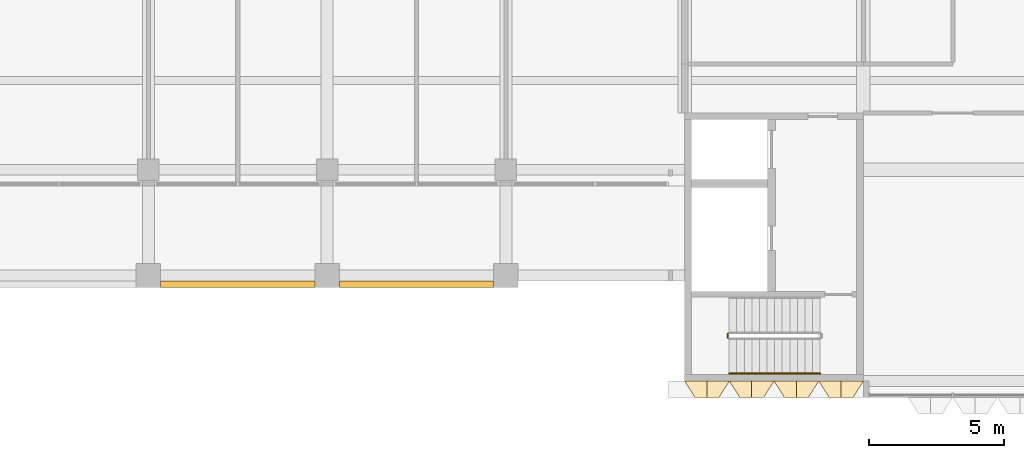
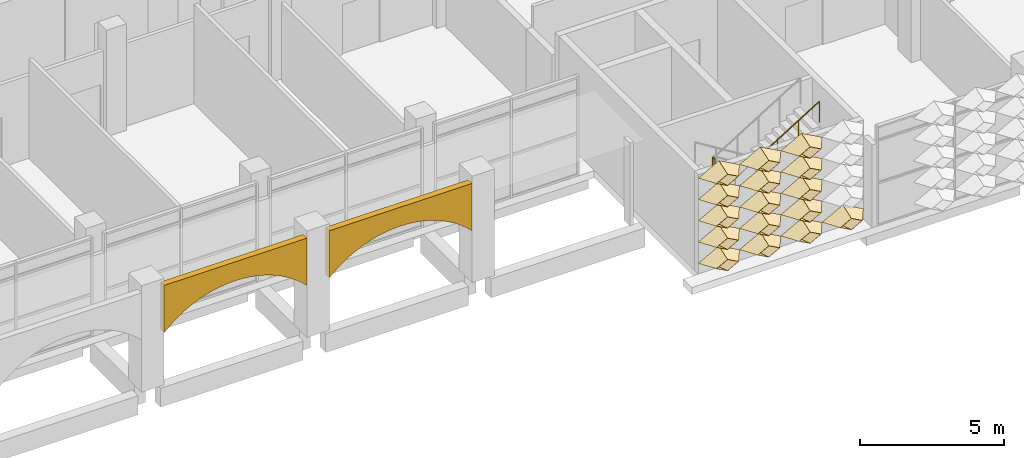
# One storey, part 45 of 87: 18 coverings, 2 railings.
"""IFC4 building model written with IfcOpenShell, lengths in metres."""

from ifc_helpers import new_model, entity, si_unit, direction, frame, origin, origin_2d, place, context, subcontext, project, spatial, polyline, circle, outline, extrude, material, layer, layer_set, type_object, element, save


model = new_model("IFC4")

# Units and contexts
model_context = context("Model", 3, precision=1e-05, world=origin(), true_north=direction((0.0, 1.0)))
body_context = subcontext(model_context, "Body", "Model", "MODEL_VIEW")
ifc_project = project(units=[si_unit("LENGTHUNIT", "METRE"), si_unit("AREAUNIT", "SQUARE_METRE"), si_unit("VOLUMEUNIT", "CUBIC_METRE"), si_unit("PLANEANGLEUNIT", "RADIAN"), si_unit("MASSUNIT", "GRAM", prefix="KILO")], contexts=[model_context])

# Site, building, storey
site_placement = place(None, origin())
site = spatial("IfcSite", under=ifc_project, at=site_placement, CompositionType="ELEMENT")
building_placement = place(site_placement, origin())
building = spatial("IfcBuilding", under=site, at=building_placement, Name="Lantern Court Research Institute", CompositionType="ELEMENT")
storey_placement = place(building_placement, frame((0.0, 0.0, 5.39990234375)))
storey = spatial("IfcBuildingStorey", under=building, at=storey_placement, Name="L01", CompositionType="ELEMENT", Elevation=5.39990234375)

# Coverings
ifc_material_1 = material(Name="Glass fibre reinforced concrete cladding", Category="concrete")
ifc_layer_1 = layer(ifc_material_1, 0.25)
ifc_layer_set_1 = layer_set([ifc_layer_1], Name="Glass fibre reinforced concrete cladding")
covering_type_1 = type_object("IfcCoveringType", Name="Arcade frieze panel 250 glass fibre reinforced concrete", PredefinedType="CLADDING", material=ifc_layer_set_1)
covering_1_placement = place(storey_placement, frame((0.0, -4.10009765625, -5.39990234375), z_axis=(0.0, -1.0, 0.0), x_axis=(1.0, 0.0, 0.0)))
element("IfcCovering", 1, at=covering_1_placement, inside=storey, type_object=covering_type_1, Name="Arcade arched frieze panel 13", PredefinedType="CLADDING", context=body_context, shape_type="SweptSolid", body=[
    extrude(outline(polyline([(33.449951171875, 9.60009765625), (33.449951171875, 7.60009765625), (33.6875, 7.823974609375), (33.925048828125, 8.014892578125), (34.16259765625, 8.17822265625), (34.39990234375, 8.31787109375), (34.637451171875, 8.4365234375), (34.875, 8.536376953125), (35.112548828125, 8.618896484375), (35.35009765625, 8.68505859375), (35.58740234375, 8.73583984375), (35.824951171875, 8.771484375), (36.0625, 8.79296875), (36.300048828125, 8.800048828125), (36.53759765625, 8.79296875), (36.77490234375, 8.771484375), (37.012451171875, 8.73583984375), (37.25, 8.68505859375), (37.487548828125, 8.618896484375), (37.72509765625, 8.536376953125), (37.96240234375, 8.4365234375), (38.199951171875, 8.31787109375), (38.4375, 8.17822265625), (38.675048828125, 8.014892578125), (38.91259765625, 7.823974609375), (39.14990234375, 7.60009765625), (39.14990234375, 9.60009765625), (33.449951171875, 9.60009765625)])), origin(), (0.0, 0.0, 1.0), 0.25),
])
covering_2_placement = place(storey_placement, frame((0.0, -4.10009765625, -5.39990234375), z_axis=(0.0, -1.0, 0.0), x_axis=(1.0, 0.0, 0.0)))
element("IfcCovering", 2, at=covering_2_placement, inside=storey, type_object=covering_type_1, Name="Arcade arched frieze panel 14", PredefinedType="CLADDING", context=body_context, shape_type="SweptSolid", body=[
    extrude(outline(polyline([(40.050048828125, 9.60009765625), (40.050048828125, 7.60009765625), (40.28759765625, 7.823974609375), (40.52490234375, 8.014892578125), (40.762451171875, 8.17822265625), (41.0, 8.31787109375), (41.237548828125, 8.4365234375), (41.47509765625, 8.536376953125), (41.71240234375, 8.618896484375), (41.949951171875, 8.68505859375), (42.1875, 8.73583984375), (42.425048828125, 8.771484375), (42.66259765625, 8.79296875), (42.89990234375, 8.800048828125), (43.137451171875, 8.79296875), (43.375, 8.771484375), (43.612548828125, 8.73583984375), (43.85009765625, 8.68505859375), (44.08740234375, 8.618896484375), (44.324951171875, 8.536376953125), (44.5625, 8.4365234375), (44.800048828125, 8.31787109375), (45.03759765625, 8.17822265625), (45.27490234375, 8.014892578125), (45.512451171875, 7.823974609375), (45.75, 7.60009765625), (45.75, 9.60009765625), (40.050048828125, 9.60009765625)])), origin(), (0.0, 0.0, 1.0), 0.25),
])
ifc_material_2 = material(Name="Anodised aluminium", Category="aluminium")
ifc_layer_2 = layer(ifc_material_2, 0.01611328125)
ifc_layer_set_2 = layer_set([ifc_layer_2], Name="Anodised aluminium")
covering_type_2 = type_object("IfcCoveringType", Name="Fin cassette 1650 x 900 x 600 aluminium", PredefinedType="CLADDING", material=ifc_layer_set_2)
covering_3_placement = place(storey_placement, frame((53.625, -7.800048828125, 0.4501953125), z_axis=(0.0, -1.0, 0.0), x_axis=(1.0, 0.0, 0.0)))
cartesian_point_1 = entity("IfcCartesianPoint", [0.824951171875, 0.0])
cartesian_point_2 = entity("IfcCartesianPoint", [0.79150390625, 0.0])
cartesian_point_3 = entity("IfcCartesianPoint", [0.44189453125, 0.0])
cartesian_point_4 = entity("IfcCartesianPoint", [0.43359375, 0.0])
element("IfcCovering", 3, at=covering_3_placement, inside=storey, type_object=covering_type_2, Name="Fin cassette V5S-L01 1.33", PredefinedType="CLADDING", context=body_context, shape_type="SweptSolid", body=[
    entity("IfcExtrudedAreaSolidTapered", entity("IfcArbitraryProfileDefWithVoids", "AREA", None, entity("IfcPolyline", [cartesian_point_1, entity("IfcCartesianPoint", [0.0, 0.449951171875]), entity("IfcCartesianPoint", [-0.824951171875, 0.0]), entity("IfcCartesianPoint", [0.0, -0.449951171875]), cartesian_point_1]), [entity("IfcPolyline", [cartesian_point_2, entity("IfcCartesianPoint", [0.0, 0.431884765625]), entity("IfcCartesianPoint", [-0.79150390625, 0.0]), entity("IfcCartesianPoint", [0.0, -0.431884765625]), cartesian_point_2])]), entity("IfcAxis2Placement3D", entity("IfcCartesianPoint", [0.0, 0.0, 0.0])), entity("IfcDirection", [0.0, 0.0, 1.0]), 0.60009765625, entity("IfcArbitraryProfileDefWithVoids", "AREA", None, entity("IfcPolyline", [cartesian_point_3, entity("IfcCartesianPoint", [0.0, 0.240966796875]), entity("IfcCartesianPoint", [-0.44189453125, 0.0]), entity("IfcCartesianPoint", [0.0, -0.240966796875]), cartesian_point_3]), [entity("IfcPolyline", [cartesian_point_4, entity("IfcCartesianPoint", [0.0, 0.236572265625]), entity("IfcCartesianPoint", [-0.43359375, 0.0]), entity("IfcCartesianPoint", [0.0, -0.236572265625]), cartesian_point_4])])),
])
covering_4_placement = place(storey_placement, frame((55.27490234375, -7.800048828125, 0.4501953125), z_axis=(0.0, -1.0, 0.0), x_axis=(1.0, 0.0, 0.0)))
cartesian_point_5 = entity("IfcCartesianPoint", [0.824951171875, 0.0])
cartesian_point_6 = entity("IfcCartesianPoint", [0.79150390625, 0.0])
cartesian_point_7 = entity("IfcCartesianPoint", [0.44189453125, 0.0])
cartesian_point_8 = entity("IfcCartesianPoint", [0.43359375, 0.0])
element("IfcCovering", 4, at=covering_4_placement, inside=storey, type_object=covering_type_2, Name="Fin cassette V5S-L01 1.34", PredefinedType="CLADDING", context=body_context, shape_type="SweptSolid", body=[
    entity("IfcExtrudedAreaSolidTapered", entity("IfcArbitraryProfileDefWithVoids", "AREA", None, entity("IfcPolyline", [cartesian_point_5, entity("IfcCartesianPoint", [0.0, 0.449951171875]), entity("IfcCartesianPoint", [-0.824951171875, 0.0]), entity("IfcCartesianPoint", [0.0, -0.449951171875]), cartesian_point_5]), [entity("IfcPolyline", [cartesian_point_6, entity("IfcCartesianPoint", [0.0, 0.431884765625]), entity("IfcCartesianPoint", [-0.79150390625, 0.0]), entity("IfcCartesianPoint", [0.0, -0.431884765625]), cartesian_point_6])]), entity("IfcAxis2Placement3D", entity("IfcCartesianPoint", [0.0, 0.0, 0.0])), entity("IfcDirection", [0.0, 0.0, 1.0]), 0.60009765625, entity("IfcArbitraryProfileDefWithVoids", "AREA", None, entity("IfcPolyline", [cartesian_point_7, entity("IfcCartesianPoint", [0.0, 0.240966796875]), entity("IfcCartesianPoint", [-0.44189453125, 0.0]), entity("IfcCartesianPoint", [0.0, -0.240966796875]), cartesian_point_7]), [entity("IfcPolyline", [cartesian_point_8, entity("IfcCartesianPoint", [0.0, 0.236572265625]), entity("IfcCartesianPoint", [-0.43359375, 0.0]), entity("IfcCartesianPoint", [0.0, -0.236572265625]), cartesian_point_8])])),
])
covering_5_placement = place(storey_placement, frame((56.925048828125, -7.800048828125, 0.4501953125), z_axis=(0.0, -1.0, 0.0), x_axis=(1.0, 0.0, 0.0)))
cartesian_point_9 = entity("IfcCartesianPoint", [0.824951171875, 0.0])
cartesian_point_10 = entity("IfcCartesianPoint", [0.79150390625, 0.0])
cartesian_point_11 = entity("IfcCartesianPoint", [0.44189453125, 0.0])
cartesian_point_12 = entity("IfcCartesianPoint", [0.43359375, 0.0])
element("IfcCovering", 5, at=covering_5_placement, inside=storey, type_object=covering_type_2, Name="Fin cassette V5S-L01 1.35", PredefinedType="CLADDING", context=body_context, shape_type="SweptSolid", body=[
    entity("IfcExtrudedAreaSolidTapered", entity("IfcArbitraryProfileDefWithVoids", "AREA", None, entity("IfcPolyline", [cartesian_point_9, entity("IfcCartesianPoint", [0.0, 0.449951171875]), entity("IfcCartesianPoint", [-0.824951171875, 0.0]), entity("IfcCartesianPoint", [0.0, -0.449951171875]), cartesian_point_9]), [entity("IfcPolyline", [cartesian_point_10, entity("IfcCartesianPoint", [0.0, 0.431884765625]), entity("IfcCartesianPoint", [-0.79150390625, 0.0]), entity("IfcCartesianPoint", [0.0, -0.431884765625]), cartesian_point_10])]), entity("IfcAxis2Placement3D", entity("IfcCartesianPoint", [0.0, 0.0, 0.0])), entity("IfcDirection", [0.0, 0.0, 1.0]), 0.60009765625, entity("IfcArbitraryProfileDefWithVoids", "AREA", None, entity("IfcPolyline", [cartesian_point_11, entity("IfcCartesianPoint", [0.0, 0.240966796875]), entity("IfcCartesianPoint", [-0.44189453125, 0.0]), entity("IfcCartesianPoint", [0.0, -0.240966796875]), cartesian_point_11]), [entity("IfcPolyline", [cartesian_point_12, entity("IfcCartesianPoint", [0.0, 0.236572265625]), entity("IfcCartesianPoint", [-0.43359375, 0.0]), entity("IfcCartesianPoint", [0.0, -0.236572265625]), cartesian_point_12])])),
])
covering_6_placement = place(storey_placement, frame((58.574951171875, -7.800048828125, 0.4501953125), z_axis=(0.0, -1.0, 0.0), x_axis=(1.0, 0.0, 0.0)))
cartesian_point_13 = entity("IfcCartesianPoint", [0.824951171875, 0.0])
cartesian_point_14 = entity("IfcCartesianPoint", [0.79150390625, 0.0])
cartesian_point_15 = entity("IfcCartesianPoint", [0.44189453125, 0.0])
cartesian_point_16 = entity("IfcCartesianPoint", [0.43359375, 0.0])
element("IfcCovering", 6, at=covering_6_placement, inside=storey, type_object=covering_type_2, Name="Fin cassette V5S-L01 1.36", PredefinedType="CLADDING", context=body_context, shape_type="SweptSolid", body=[
    entity("IfcExtrudedAreaSolidTapered", entity("IfcArbitraryProfileDefWithVoids", "AREA", None, entity("IfcPolyline", [cartesian_point_13, entity("IfcCartesianPoint", [0.0, 0.449951171875]), entity("IfcCartesianPoint", [-0.824951171875, 0.0]), entity("IfcCartesianPoint", [0.0, -0.449951171875]), cartesian_point_13]), [entity("IfcPolyline", [cartesian_point_14, entity("IfcCartesianPoint", [0.0, 0.431884765625]), entity("IfcCartesianPoint", [-0.79150390625, 0.0]), entity("IfcCartesianPoint", [0.0, -0.431884765625]), cartesian_point_14])]), entity("IfcAxis2Placement3D", entity("IfcCartesianPoint", [0.0, 0.0, 0.0])), entity("IfcDirection", [0.0, 0.0, 1.0]), 0.60009765625, entity("IfcArbitraryProfileDefWithVoids", "AREA", None, entity("IfcPolyline", [cartesian_point_15, entity("IfcCartesianPoint", [0.0, 0.240966796875]), entity("IfcCartesianPoint", [-0.44189453125, 0.0]), entity("IfcCartesianPoint", [0.0, -0.240966796875]), cartesian_point_15]), [entity("IfcPolyline", [cartesian_point_16, entity("IfcCartesianPoint", [0.0, 0.236572265625]), entity("IfcCartesianPoint", [-0.43359375, 0.0]), entity("IfcCartesianPoint", [0.0, -0.236572265625]), cartesian_point_16])])),
])
covering_7_placement = place(storey_placement, frame((53.625, -7.800048828125, 1.35009765625), z_axis=(0.0, -1.0, 0.0), x_axis=(1.0, 0.0, 0.0)))
cartesian_point_17 = entity("IfcCartesianPoint", [0.824951171875, 0.0])
cartesian_point_18 = entity("IfcCartesianPoint", [0.79150390625, 0.0])
cartesian_point_19 = entity("IfcCartesianPoint", [0.44189453125, 0.0])
cartesian_point_20 = entity("IfcCartesianPoint", [0.43359375, 0.0])
element("IfcCovering", 7, at=covering_7_placement, inside=storey, type_object=covering_type_2, Name="Fin cassette V5S-L01 2.33", PredefinedType="CLADDING", context=body_context, shape_type="SweptSolid", body=[
    entity("IfcExtrudedAreaSolidTapered", entity("IfcArbitraryProfileDefWithVoids", "AREA", None, entity("IfcPolyline", [cartesian_point_17, entity("IfcCartesianPoint", [0.0, 0.449951171875]), entity("IfcCartesianPoint", [-0.824951171875, 0.0]), entity("IfcCartesianPoint", [0.0, -0.449951171875]), cartesian_point_17]), [entity("IfcPolyline", [cartesian_point_18, entity("IfcCartesianPoint", [0.0, 0.431884765625]), entity("IfcCartesianPoint", [-0.79150390625, 0.0]), entity("IfcCartesianPoint", [0.0, -0.431884765625]), cartesian_point_18])]), entity("IfcAxis2Placement3D", entity("IfcCartesianPoint", [0.0, 0.0, 0.0])), entity("IfcDirection", [0.0, 0.0, 1.0]), 0.60009765625, entity("IfcArbitraryProfileDefWithVoids", "AREA", None, entity("IfcPolyline", [cartesian_point_19, entity("IfcCartesianPoint", [0.0, 0.240966796875]), entity("IfcCartesianPoint", [-0.44189453125, 0.0]), entity("IfcCartesianPoint", [0.0, -0.240966796875]), cartesian_point_19]), [entity("IfcPolyline", [cartesian_point_20, entity("IfcCartesianPoint", [0.0, 0.236572265625]), entity("IfcCartesianPoint", [-0.43359375, 0.0]), entity("IfcCartesianPoint", [0.0, -0.236572265625]), cartesian_point_20])])),
])
covering_8_placement = place(storey_placement, frame((55.27490234375, -7.800048828125, 1.35009765625), z_axis=(0.0, -1.0, 0.0), x_axis=(1.0, 0.0, 0.0)))
cartesian_point_21 = entity("IfcCartesianPoint", [0.824951171875, 0.0])
cartesian_point_22 = entity("IfcCartesianPoint", [0.79150390625, 0.0])
cartesian_point_23 = entity("IfcCartesianPoint", [0.44189453125, 0.0])
cartesian_point_24 = entity("IfcCartesianPoint", [0.43359375, 0.0])
element("IfcCovering", 8, at=covering_8_placement, inside=storey, type_object=covering_type_2, Name="Fin cassette V5S-L01 2.34", PredefinedType="CLADDING", context=body_context, shape_type="SweptSolid", body=[
    entity("IfcExtrudedAreaSolidTapered", entity("IfcArbitraryProfileDefWithVoids", "AREA", None, entity("IfcPolyline", [cartesian_point_21, entity("IfcCartesianPoint", [0.0, 0.449951171875]), entity("IfcCartesianPoint", [-0.824951171875, 0.0]), entity("IfcCartesianPoint", [0.0, -0.449951171875]), cartesian_point_21]), [entity("IfcPolyline", [cartesian_point_22, entity("IfcCartesianPoint", [0.0, 0.431884765625]), entity("IfcCartesianPoint", [-0.79150390625, 0.0]), entity("IfcCartesianPoint", [0.0, -0.431884765625]), cartesian_point_22])]), entity("IfcAxis2Placement3D", entity("IfcCartesianPoint", [0.0, 0.0, 0.0])), entity("IfcDirection", [0.0, 0.0, 1.0]), 0.60009765625, entity("IfcArbitraryProfileDefWithVoids", "AREA", None, entity("IfcPolyline", [cartesian_point_23, entity("IfcCartesianPoint", [0.0, 0.240966796875]), entity("IfcCartesianPoint", [-0.44189453125, 0.0]), entity("IfcCartesianPoint", [0.0, -0.240966796875]), cartesian_point_23]), [entity("IfcPolyline", [cartesian_point_24, entity("IfcCartesianPoint", [0.0, 0.236572265625]), entity("IfcCartesianPoint", [-0.43359375, 0.0]), entity("IfcCartesianPoint", [0.0, -0.236572265625]), cartesian_point_24])])),
])
covering_9_placement = place(storey_placement, frame((56.925048828125, -7.800048828125, 1.35009765625), z_axis=(0.0, -1.0, 0.0), x_axis=(1.0, 0.0, 0.0)))
cartesian_point_25 = entity("IfcCartesianPoint", [0.824951171875, 0.0])
cartesian_point_26 = entity("IfcCartesianPoint", [0.79150390625, 0.0])
cartesian_point_27 = entity("IfcCartesianPoint", [0.44189453125, 0.0])
cartesian_point_28 = entity("IfcCartesianPoint", [0.43359375, 0.0])
element("IfcCovering", 9, at=covering_9_placement, inside=storey, type_object=covering_type_2, Name="Fin cassette V5S-L01 2.35", PredefinedType="CLADDING", context=body_context, shape_type="SweptSolid", body=[
    entity("IfcExtrudedAreaSolidTapered", entity("IfcArbitraryProfileDefWithVoids", "AREA", None, entity("IfcPolyline", [cartesian_point_25, entity("IfcCartesianPoint", [0.0, 0.449951171875]), entity("IfcCartesianPoint", [-0.824951171875, 0.0]), entity("IfcCartesianPoint", [0.0, -0.449951171875]), cartesian_point_25]), [entity("IfcPolyline", [cartesian_point_26, entity("IfcCartesianPoint", [0.0, 0.431884765625]), entity("IfcCartesianPoint", [-0.79150390625, 0.0]), entity("IfcCartesianPoint", [0.0, -0.431884765625]), cartesian_point_26])]), entity("IfcAxis2Placement3D", entity("IfcCartesianPoint", [0.0, 0.0, 0.0])), entity("IfcDirection", [0.0, 0.0, 1.0]), 0.60009765625, entity("IfcArbitraryProfileDefWithVoids", "AREA", None, entity("IfcPolyline", [cartesian_point_27, entity("IfcCartesianPoint", [0.0, 0.240966796875]), entity("IfcCartesianPoint", [-0.44189453125, 0.0]), entity("IfcCartesianPoint", [0.0, -0.240966796875]), cartesian_point_27]), [entity("IfcPolyline", [cartesian_point_28, entity("IfcCartesianPoint", [0.0, 0.236572265625]), entity("IfcCartesianPoint", [-0.43359375, 0.0]), entity("IfcCartesianPoint", [0.0, -0.236572265625]), cartesian_point_28])])),
])
covering_10_placement = place(storey_placement, frame((53.625, -7.800048828125, 2.25), z_axis=(0.0, -1.0, 0.0), x_axis=(1.0, 0.0, 0.0)))
cartesian_point_29 = entity("IfcCartesianPoint", [0.824951171875, 0.0])
cartesian_point_30 = entity("IfcCartesianPoint", [0.79150390625, 0.0])
cartesian_point_31 = entity("IfcCartesianPoint", [0.44189453125, 0.0])
cartesian_point_32 = entity("IfcCartesianPoint", [0.43359375, 0.0])
element("IfcCovering", 10, at=covering_10_placement, inside=storey, type_object=covering_type_2, Name="Fin cassette V5S-L01 3.33", PredefinedType="CLADDING", context=body_context, shape_type="SweptSolid", body=[
    entity("IfcExtrudedAreaSolidTapered", entity("IfcArbitraryProfileDefWithVoids", "AREA", None, entity("IfcPolyline", [cartesian_point_29, entity("IfcCartesianPoint", [0.0, 0.449951171875]), entity("IfcCartesianPoint", [-0.824951171875, 0.0]), entity("IfcCartesianPoint", [0.0, -0.449951171875]), cartesian_point_29]), [entity("IfcPolyline", [cartesian_point_30, entity("IfcCartesianPoint", [0.0, 0.431884765625]), entity("IfcCartesianPoint", [-0.79150390625, 0.0]), entity("IfcCartesianPoint", [0.0, -0.431884765625]), cartesian_point_30])]), entity("IfcAxis2Placement3D", entity("IfcCartesianPoint", [0.0, 0.0, 0.0])), entity("IfcDirection", [0.0, 0.0, 1.0]), 0.60009765625, entity("IfcArbitraryProfileDefWithVoids", "AREA", None, entity("IfcPolyline", [cartesian_point_31, entity("IfcCartesianPoint", [0.0, 0.240966796875]), entity("IfcCartesianPoint", [-0.44189453125, 0.0]), entity("IfcCartesianPoint", [0.0, -0.240966796875]), cartesian_point_31]), [entity("IfcPolyline", [cartesian_point_32, entity("IfcCartesianPoint", [0.0, 0.236572265625]), entity("IfcCartesianPoint", [-0.43359375, 0.0]), entity("IfcCartesianPoint", [0.0, -0.236572265625]), cartesian_point_32])])),
])
covering_11_placement = place(storey_placement, frame((55.27490234375, -7.800048828125, 2.25), z_axis=(0.0, -1.0, 0.0), x_axis=(1.0, 0.0, 0.0)))
cartesian_point_33 = entity("IfcCartesianPoint", [0.824951171875, 0.0])
cartesian_point_34 = entity("IfcCartesianPoint", [0.79150390625, 0.0])
cartesian_point_35 = entity("IfcCartesianPoint", [0.44189453125, 0.0])
cartesian_point_36 = entity("IfcCartesianPoint", [0.43359375, 0.0])
element("IfcCovering", 11, at=covering_11_placement, inside=storey, type_object=covering_type_2, Name="Fin cassette V5S-L01 3.34", PredefinedType="CLADDING", context=body_context, shape_type="SweptSolid", body=[
    entity("IfcExtrudedAreaSolidTapered", entity("IfcArbitraryProfileDefWithVoids", "AREA", None, entity("IfcPolyline", [cartesian_point_33, entity("IfcCartesianPoint", [0.0, 0.449951171875]), entity("IfcCartesianPoint", [-0.824951171875, 0.0]), entity("IfcCartesianPoint", [0.0, -0.449951171875]), cartesian_point_33]), [entity("IfcPolyline", [cartesian_point_34, entity("IfcCartesianPoint", [0.0, 0.431884765625]), entity("IfcCartesianPoint", [-0.79150390625, 0.0]), entity("IfcCartesianPoint", [0.0, -0.431884765625]), cartesian_point_34])]), entity("IfcAxis2Placement3D", entity("IfcCartesianPoint", [0.0, 0.0, 0.0])), entity("IfcDirection", [0.0, 0.0, 1.0]), 0.60009765625, entity("IfcArbitraryProfileDefWithVoids", "AREA", None, entity("IfcPolyline", [cartesian_point_35, entity("IfcCartesianPoint", [0.0, 0.240966796875]), entity("IfcCartesianPoint", [-0.44189453125, 0.0]), entity("IfcCartesianPoint", [0.0, -0.240966796875]), cartesian_point_35]), [entity("IfcPolyline", [cartesian_point_36, entity("IfcCartesianPoint", [0.0, 0.236572265625]), entity("IfcCartesianPoint", [-0.43359375, 0.0]), entity("IfcCartesianPoint", [0.0, -0.236572265625]), cartesian_point_36])])),
])
covering_12_placement = place(storey_placement, frame((56.925048828125, -7.800048828125, 2.25), z_axis=(0.0, -1.0, 0.0), x_axis=(1.0, 0.0, 0.0)))
cartesian_point_37 = entity("IfcCartesianPoint", [0.824951171875, 0.0])
cartesian_point_38 = entity("IfcCartesianPoint", [0.79150390625, 0.0])
cartesian_point_39 = entity("IfcCartesianPoint", [0.44189453125, 0.0])
cartesian_point_40 = entity("IfcCartesianPoint", [0.43359375, 0.0])
element("IfcCovering", 12, at=covering_12_placement, inside=storey, type_object=covering_type_2, Name="Fin cassette V5S-L01 3.35", PredefinedType="CLADDING", context=body_context, shape_type="SweptSolid", body=[
    entity("IfcExtrudedAreaSolidTapered", entity("IfcArbitraryProfileDefWithVoids", "AREA", None, entity("IfcPolyline", [cartesian_point_37, entity("IfcCartesianPoint", [0.0, 0.449951171875]), entity("IfcCartesianPoint", [-0.824951171875, 0.0]), entity("IfcCartesianPoint", [0.0, -0.449951171875]), cartesian_point_37]), [entity("IfcPolyline", [cartesian_point_38, entity("IfcCartesianPoint", [0.0, 0.431884765625]), entity("IfcCartesianPoint", [-0.79150390625, 0.0]), entity("IfcCartesianPoint", [0.0, -0.431884765625]), cartesian_point_38])]), entity("IfcAxis2Placement3D", entity("IfcCartesianPoint", [0.0, 0.0, 0.0])), entity("IfcDirection", [0.0, 0.0, 1.0]), 0.60009765625, entity("IfcArbitraryProfileDefWithVoids", "AREA", None, entity("IfcPolyline", [cartesian_point_39, entity("IfcCartesianPoint", [0.0, 0.240966796875]), entity("IfcCartesianPoint", [-0.44189453125, 0.0]), entity("IfcCartesianPoint", [0.0, -0.240966796875]), cartesian_point_39]), [entity("IfcPolyline", [cartesian_point_40, entity("IfcCartesianPoint", [0.0, 0.236572265625]), entity("IfcCartesianPoint", [-0.43359375, 0.0]), entity("IfcCartesianPoint", [0.0, -0.236572265625]), cartesian_point_40])])),
])
covering_13_placement = place(storey_placement, frame((53.625, -7.800048828125, 3.150146484375), z_axis=(0.0, -1.0, 0.0), x_axis=(1.0, 0.0, 0.0)))
cartesian_point_41 = entity("IfcCartesianPoint", [0.824951171875, 0.0])
cartesian_point_42 = entity("IfcCartesianPoint", [0.79150390625, 0.0])
cartesian_point_43 = entity("IfcCartesianPoint", [0.44189453125, 0.0])
cartesian_point_44 = entity("IfcCartesianPoint", [0.43359375, 0.0])
element("IfcCovering", 13, at=covering_13_placement, inside=storey, type_object=covering_type_2, Name="Fin cassette V5S-L01 4.33", PredefinedType="CLADDING", context=body_context, shape_type="SweptSolid", body=[
    entity("IfcExtrudedAreaSolidTapered", entity("IfcArbitraryProfileDefWithVoids", "AREA", None, entity("IfcPolyline", [cartesian_point_41, entity("IfcCartesianPoint", [0.0, 0.449951171875]), entity("IfcCartesianPoint", [-0.824951171875, 0.0]), entity("IfcCartesianPoint", [0.0, -0.449951171875]), cartesian_point_41]), [entity("IfcPolyline", [cartesian_point_42, entity("IfcCartesianPoint", [0.0, 0.431884765625]), entity("IfcCartesianPoint", [-0.79150390625, 0.0]), entity("IfcCartesianPoint", [0.0, -0.431884765625]), cartesian_point_42])]), entity("IfcAxis2Placement3D", entity("IfcCartesianPoint", [0.0, 0.0, 0.0])), entity("IfcDirection", [0.0, 0.0, 1.0]), 0.60009765625, entity("IfcArbitraryProfileDefWithVoids", "AREA", None, entity("IfcPolyline", [cartesian_point_43, entity("IfcCartesianPoint", [0.0, 0.240966796875]), entity("IfcCartesianPoint", [-0.44189453125, 0.0]), entity("IfcCartesianPoint", [0.0, -0.240966796875]), cartesian_point_43]), [entity("IfcPolyline", [cartesian_point_44, entity("IfcCartesianPoint", [0.0, 0.236572265625]), entity("IfcCartesianPoint", [-0.43359375, 0.0]), entity("IfcCartesianPoint", [0.0, -0.236572265625]), cartesian_point_44])])),
])
covering_14_placement = place(storey_placement, frame((55.27490234375, -7.800048828125, 3.150146484375), z_axis=(0.0, -1.0, 0.0), x_axis=(1.0, 0.0, 0.0)))
cartesian_point_45 = entity("IfcCartesianPoint", [0.824951171875, 0.0])
cartesian_point_46 = entity("IfcCartesianPoint", [0.79150390625, 0.0])
cartesian_point_47 = entity("IfcCartesianPoint", [0.44189453125, 0.0])
cartesian_point_48 = entity("IfcCartesianPoint", [0.43359375, 0.0])
element("IfcCovering", 14, at=covering_14_placement, inside=storey, type_object=covering_type_2, Name="Fin cassette V5S-L01 4.34", PredefinedType="CLADDING", context=body_context, shape_type="SweptSolid", body=[
    entity("IfcExtrudedAreaSolidTapered", entity("IfcArbitraryProfileDefWithVoids", "AREA", None, entity("IfcPolyline", [cartesian_point_45, entity("IfcCartesianPoint", [0.0, 0.449951171875]), entity("IfcCartesianPoint", [-0.824951171875, 0.0]), entity("IfcCartesianPoint", [0.0, -0.449951171875]), cartesian_point_45]), [entity("IfcPolyline", [cartesian_point_46, entity("IfcCartesianPoint", [0.0, 0.431884765625]), entity("IfcCartesianPoint", [-0.79150390625, 0.0]), entity("IfcCartesianPoint", [0.0, -0.431884765625]), cartesian_point_46])]), entity("IfcAxis2Placement3D", entity("IfcCartesianPoint", [0.0, 0.0, 0.0])), entity("IfcDirection", [0.0, 0.0, 1.0]), 0.60009765625, entity("IfcArbitraryProfileDefWithVoids", "AREA", None, entity("IfcPolyline", [cartesian_point_47, entity("IfcCartesianPoint", [0.0, 0.240966796875]), entity("IfcCartesianPoint", [-0.44189453125, 0.0]), entity("IfcCartesianPoint", [0.0, -0.240966796875]), cartesian_point_47]), [entity("IfcPolyline", [cartesian_point_48, entity("IfcCartesianPoint", [0.0, 0.236572265625]), entity("IfcCartesianPoint", [-0.43359375, 0.0]), entity("IfcCartesianPoint", [0.0, -0.236572265625]), cartesian_point_48])])),
])
covering_15_placement = place(storey_placement, frame((56.925048828125, -7.800048828125, 3.150146484375), z_axis=(0.0, -1.0, 0.0), x_axis=(1.0, 0.0, 0.0)))
cartesian_point_49 = entity("IfcCartesianPoint", [0.824951171875, 0.0])
cartesian_point_50 = entity("IfcCartesianPoint", [0.79150390625, 0.0])
cartesian_point_51 = entity("IfcCartesianPoint", [0.44189453125, 0.0])
cartesian_point_52 = entity("IfcCartesianPoint", [0.43359375, 0.0])
element("IfcCovering", 15, at=covering_15_placement, inside=storey, type_object=covering_type_2, Name="Fin cassette V5S-L01 4.35", PredefinedType="CLADDING", context=body_context, shape_type="SweptSolid", body=[
    entity("IfcExtrudedAreaSolidTapered", entity("IfcArbitraryProfileDefWithVoids", "AREA", None, entity("IfcPolyline", [cartesian_point_49, entity("IfcCartesianPoint", [0.0, 0.449951171875]), entity("IfcCartesianPoint", [-0.824951171875, 0.0]), entity("IfcCartesianPoint", [0.0, -0.449951171875]), cartesian_point_49]), [entity("IfcPolyline", [cartesian_point_50, entity("IfcCartesianPoint", [0.0, 0.431884765625]), entity("IfcCartesianPoint", [-0.79150390625, 0.0]), entity("IfcCartesianPoint", [0.0, -0.431884765625]), cartesian_point_50])]), entity("IfcAxis2Placement3D", entity("IfcCartesianPoint", [0.0, 0.0, 0.0])), entity("IfcDirection", [0.0, 0.0, 1.0]), 0.60009765625, entity("IfcArbitraryProfileDefWithVoids", "AREA", None, entity("IfcPolyline", [cartesian_point_51, entity("IfcCartesianPoint", [0.0, 0.240966796875]), entity("IfcCartesianPoint", [-0.44189453125, 0.0]), entity("IfcCartesianPoint", [0.0, -0.240966796875]), cartesian_point_51]), [entity("IfcPolyline", [cartesian_point_52, entity("IfcCartesianPoint", [0.0, 0.236572265625]), entity("IfcCartesianPoint", [-0.43359375, 0.0]), entity("IfcCartesianPoint", [0.0, -0.236572265625]), cartesian_point_52])])),
])
covering_16_placement = place(storey_placement, frame((53.625, -7.800048828125, 4.050048828125), z_axis=(0.0, -1.0, 0.0), x_axis=(1.0, 0.0, 0.0)))
cartesian_point_53 = entity("IfcCartesianPoint", [0.824951171875, 0.0])
cartesian_point_54 = entity("IfcCartesianPoint", [0.79150390625, 0.0])
cartesian_point_55 = entity("IfcCartesianPoint", [0.44189453125, 0.0])
cartesian_point_56 = entity("IfcCartesianPoint", [0.43359375, 0.0])
element("IfcCovering", 16, at=covering_16_placement, inside=storey, type_object=covering_type_2, Name="Fin cassette V5S-L01 5.33", PredefinedType="CLADDING", context=body_context, shape_type="SweptSolid", body=[
    entity("IfcExtrudedAreaSolidTapered", entity("IfcArbitraryProfileDefWithVoids", "AREA", None, entity("IfcPolyline", [cartesian_point_53, entity("IfcCartesianPoint", [0.0, 0.449951171875]), entity("IfcCartesianPoint", [-0.824951171875, 0.0]), entity("IfcCartesianPoint", [0.0, -0.449951171875]), cartesian_point_53]), [entity("IfcPolyline", [cartesian_point_54, entity("IfcCartesianPoint", [0.0, 0.431884765625]), entity("IfcCartesianPoint", [-0.79150390625, 0.0]), entity("IfcCartesianPoint", [0.0, -0.431884765625]), cartesian_point_54])]), entity("IfcAxis2Placement3D", entity("IfcCartesianPoint", [0.0, 0.0, 0.0])), entity("IfcDirection", [0.0, 0.0, 1.0]), 0.60009765625, entity("IfcArbitraryProfileDefWithVoids", "AREA", None, entity("IfcPolyline", [cartesian_point_55, entity("IfcCartesianPoint", [0.0, 0.240966796875]), entity("IfcCartesianPoint", [-0.44189453125, 0.0]), entity("IfcCartesianPoint", [0.0, -0.240966796875]), cartesian_point_55]), [entity("IfcPolyline", [cartesian_point_56, entity("IfcCartesianPoint", [0.0, 0.236572265625]), entity("IfcCartesianPoint", [-0.43359375, 0.0]), entity("IfcCartesianPoint", [0.0, -0.236572265625]), cartesian_point_56])])),
])
covering_17_placement = place(storey_placement, frame((55.27490234375, -7.800048828125, 4.050048828125), z_axis=(0.0, -1.0, 0.0), x_axis=(1.0, 0.0, 0.0)))
cartesian_point_57 = entity("IfcCartesianPoint", [0.824951171875, 0.0])
cartesian_point_58 = entity("IfcCartesianPoint", [0.79150390625, 0.0])
cartesian_point_59 = entity("IfcCartesianPoint", [0.44189453125, 0.0])
cartesian_point_60 = entity("IfcCartesianPoint", [0.43359375, 0.0])
element("IfcCovering", 17, at=covering_17_placement, inside=storey, type_object=covering_type_2, Name="Fin cassette V5S-L01 5.34", PredefinedType="CLADDING", context=body_context, shape_type="SweptSolid", body=[
    entity("IfcExtrudedAreaSolidTapered", entity("IfcArbitraryProfileDefWithVoids", "AREA", None, entity("IfcPolyline", [cartesian_point_57, entity("IfcCartesianPoint", [0.0, 0.449951171875]), entity("IfcCartesianPoint", [-0.824951171875, 0.0]), entity("IfcCartesianPoint", [0.0, -0.449951171875]), cartesian_point_57]), [entity("IfcPolyline", [cartesian_point_58, entity("IfcCartesianPoint", [0.0, 0.431884765625]), entity("IfcCartesianPoint", [-0.79150390625, 0.0]), entity("IfcCartesianPoint", [0.0, -0.431884765625]), cartesian_point_58])]), entity("IfcAxis2Placement3D", entity("IfcCartesianPoint", [0.0, 0.0, 0.0])), entity("IfcDirection", [0.0, 0.0, 1.0]), 0.60009765625, entity("IfcArbitraryProfileDefWithVoids", "AREA", None, entity("IfcPolyline", [cartesian_point_59, entity("IfcCartesianPoint", [0.0, 0.240966796875]), entity("IfcCartesianPoint", [-0.44189453125, 0.0]), entity("IfcCartesianPoint", [0.0, -0.240966796875]), cartesian_point_59]), [entity("IfcPolyline", [cartesian_point_60, entity("IfcCartesianPoint", [0.0, 0.236572265625]), entity("IfcCartesianPoint", [-0.43359375, 0.0]), entity("IfcCartesianPoint", [0.0, -0.236572265625]), cartesian_point_60])])),
])
covering_18_placement = place(storey_placement, frame((56.925048828125, -7.800048828125, 4.050048828125), z_axis=(0.0, -1.0, 0.0), x_axis=(1.0, 0.0, 0.0)))
cartesian_point_61 = entity("IfcCartesianPoint", [0.824951171875, 0.0])
cartesian_point_62 = entity("IfcCartesianPoint", [0.79150390625, 0.0])
cartesian_point_63 = entity("IfcCartesianPoint", [0.44189453125, 0.0])
cartesian_point_64 = entity("IfcCartesianPoint", [0.43359375, 0.0])
element("IfcCovering", 18, at=covering_18_placement, inside=storey, type_object=covering_type_2, Name="Fin cassette V5S-L01 5.35", PredefinedType="CLADDING", context=body_context, shape_type="SweptSolid", body=[
    entity("IfcExtrudedAreaSolidTapered", entity("IfcArbitraryProfileDefWithVoids", "AREA", None, entity("IfcPolyline", [cartesian_point_61, entity("IfcCartesianPoint", [0.0, 0.449951171875]), entity("IfcCartesianPoint", [-0.824951171875, 0.0]), entity("IfcCartesianPoint", [0.0, -0.449951171875]), cartesian_point_61]), [entity("IfcPolyline", [cartesian_point_62, entity("IfcCartesianPoint", [0.0, 0.431884765625]), entity("IfcCartesianPoint", [-0.79150390625, 0.0]), entity("IfcCartesianPoint", [0.0, -0.431884765625]), cartesian_point_62])]), entity("IfcAxis2Placement3D", entity("IfcCartesianPoint", [0.0, 0.0, 0.0])), entity("IfcDirection", [0.0, 0.0, 1.0]), 0.60009765625, entity("IfcArbitraryProfileDefWithVoids", "AREA", None, entity("IfcPolyline", [cartesian_point_63, entity("IfcCartesianPoint", [0.0, 0.240966796875]), entity("IfcCartesianPoint", [-0.44189453125, 0.0]), entity("IfcCartesianPoint", [0.0, -0.240966796875]), cartesian_point_63]), [entity("IfcPolyline", [cartesian_point_64, entity("IfcCartesianPoint", [0.0, 0.236572265625]), entity("IfcCartesianPoint", [-0.43359375, 0.0]), entity("IfcCartesianPoint", [0.0, -0.236572265625]), cartesian_point_64])])),
])

# Railings
ifc_material_3 = material(Name="Structural steel S355", Category="steel")
railing_type_1 = type_object("IfcRailingType", Name="Stair guard 1100 steel", PredefinedType="GUARDRAIL", material=ifc_material_3)
railing_1_placement = place(storey_placement, frame((54.389892578125, -6.050048828125, 2.25)))
element("IfcRailing", 19, at=railing_1_placement, inside=storey, type_object=railing_type_1, Name="L01 ST-T1 stair guard 2", PredefinedType="GUARDRAIL", context=body_context, shape_type="SweptSolid", body=[
    extrude(circle(Radius=0.02392578125, at=origin_2d()), frame((0.0, 0.0, 1.076171875), z_axis=(0.0, -1.0, 0.0), x_axis=(1.0, 0.0, 0.0)), (0.0, 0.0, 1.0), 0.14990234375),
    extrude(circle(Radius=0.02099609375, at=origin_2d()), origin(), (0.0, 0.0, 1.0), 1.052001953125),
    extrude(circle(Radius=0.02099609375, at=origin_2d()), frame((0.0, -0.14990234375, 0.0)), (0.0, 0.0, 1.0), 1.052001953125),
])
ifc_material_4 = material(Name="Stainless steel 316", Category="steel")
railing_type_2 = type_object("IfcRailingType", Name="Stair handrail 900 steel", PredefinedType="HANDRAIL", material=ifc_material_4)
railing_2_placement = place(storey_placement, frame((54.43994140625, -7.52490234375, 2.423095703125)))
element("IfcRailing", 20, at=railing_2_placement, inside=storey, type_object=railing_type_2, Name="L01 ST-T1 stair handrail 2", PredefinedType="HANDRAIL", context=body_context, shape_type="SweptSolid", body=[
    extrude(circle(Radius=0.02392578125, at=origin_2d()), frame((0.0, 0.0, 0.8759765625), z_axis=(0.850623216509, 0.0, 0.525775754039), x_axis=(0.0, 1.0, 0.0)), (0.0, 0.0, 1.0), 3.9501953125),
    extrude(circle(Radius=0.02099609375, at=origin_2d()), origin(), (0.0, 0.0, 1.0), 0.851806640625),
    extrude(circle(Radius=0.02099609375, at=origin_2d()), frame((0.840087890625, 0.0, 0.519287109375)), (0.0, 0.0, 1.0), 0.851806640625),
    extrude(circle(Radius=0.02099609375, at=origin_2d()), frame((1.68017578125, 0.0, 1.03857421875)), (0.0, 0.0, 1.0), 0.851806640625),
    extrude(circle(Radius=0.02099609375, at=origin_2d()), frame((2.52001953125, 0.0, 1.5576171875)), (0.0, 0.0, 1.0), 0.851806640625),
    extrude(circle(Radius=0.02099609375, at=origin_2d()), frame((3.360107421875, 0.0, 2.076904296875)), (0.0, 0.0, 1.0), 0.851806640625),
])

save(model, "model.ifc")
